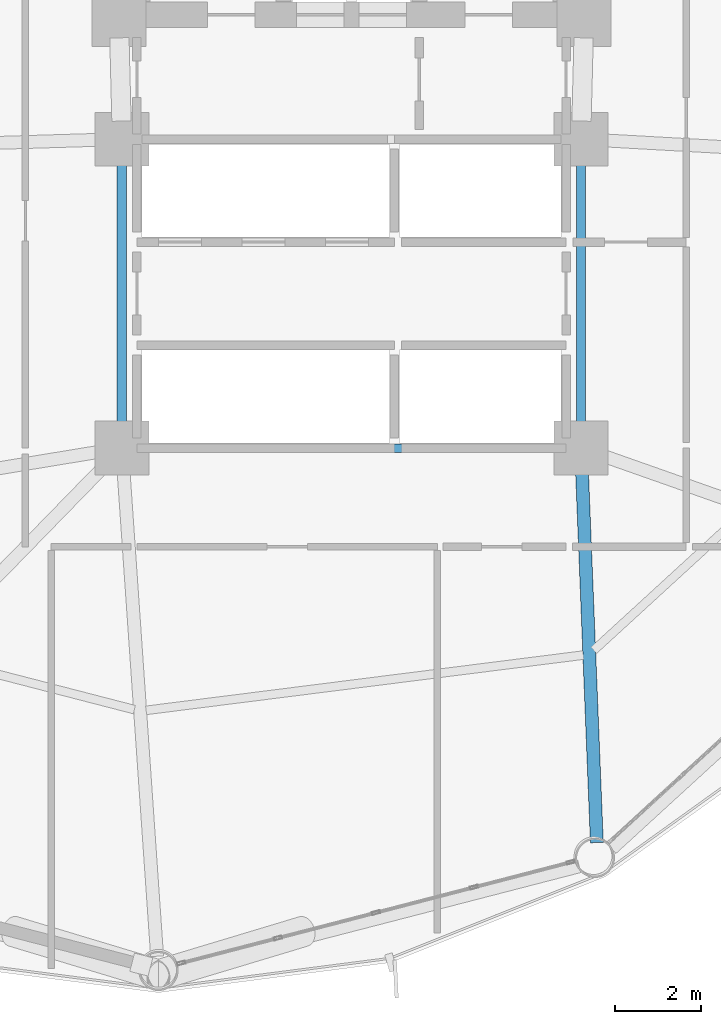
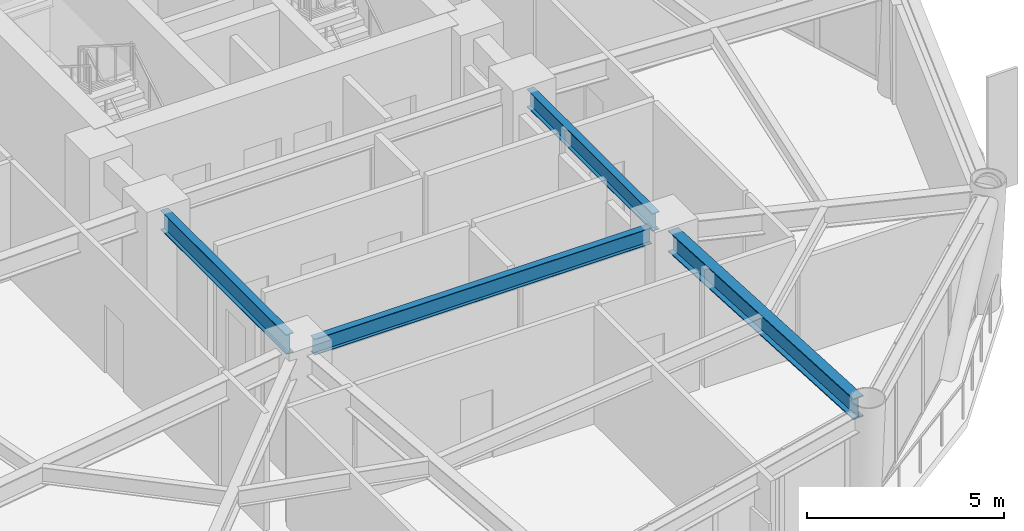
# One storey, part 9 of 25: 4 beams.
"""IFC4 building model written with IfcOpenShell, lengths in metres."""

from ifc_helpers import new_model, si_unit, direction, frame, origin, origin_2d, place, context, subcontext, project, spatial, i_section, extrude, material, material_profile, profile_set, type_object, element, save


model = new_model("IFC4")

# Units and contexts
model_context = context("Model", 3, precision=1e-05, world=origin(), true_north=direction((0.0, 1.0)))
body_context = subcontext(model_context, "Body", "Model", "MODEL_VIEW")
ifc_project = project(units=[si_unit("LENGTHUNIT", "METRE"), si_unit("AREAUNIT", "SQUARE_METRE"), si_unit("VOLUMEUNIT", "CUBIC_METRE"), si_unit("PLANEANGLEUNIT", "RADIAN"), si_unit("MASSUNIT", "GRAM", prefix="KILO")], contexts=[model_context])

# Site, building, storey
site_placement = place(None, origin())
site = spatial("IfcSite", under=ifc_project, at=site_placement, CompositionType="ELEMENT")
building_placement = place(site_placement, origin())
building = spatial("IfcBuilding", under=site, at=building_placement, Name="Varnakorn Sky Granary", CompositionType="ELEMENT")
storey_placement = place(building_placement, frame((0.0, 0.0, 35.39990234375)))
storey = spatial("IfcBuildingStorey", under=building, at=storey_placement, Name="L08", CompositionType="ELEMENT", Elevation=35.39990234375)

# Beams
ifc_material = material(Name="Steel S355JR", Category="steel")
ifc_material_profile_1 = material_profile(ifc_material, i_section(OverallWidth=0.2099609375, OverallDepth=0.550048828125, WebThickness=0.010986328125, FlangeThickness=0.01708984375, at=origin_2d()), Name="IPE 550")
ifc_profile_set_1 = profile_set([ifc_material_profile_1], Name="Steel S355JR")
beam_type_1 = type_object("IfcBeamType", Name="BM-JST-550", PredefinedType="JOIST", material=ifc_profile_set_1)
beam_1_placement = place(storey_placement, frame((8.35009765625, 0.179931640625, 3.364990234375), z_axis=(0.0, -1.0, 0.0), x_axis=(1.0, 0.0, 0.0)))
element("IfcBeam", 1, at=beam_1_placement, inside=storey, type_object=beam_type_1, Name="Core Spine Framing Beam 4 L08", PredefinedType="JOIST", context=body_context, shape_type="SweptSolid", body=[
    extrude(i_section(OverallWidth=0.2099609375, OverallDepth=0.550048828125, WebThickness=0.010986328125, FlangeThickness=0.01708984375, at=origin_2d()), origin(), (0.0, 0.0, 1.0), 6.35986328125),
])
ifc_material_profile_2 = material_profile(ifc_material, i_section(OverallWidth=0.219970703125, OverallDepth=0.60009765625, WebThickness=0.011962890625, FlangeThickness=0.01904296875, at=origin_2d()), Name="IPE 600")
ifc_profile_set_2 = profile_set([ifc_material_profile_2], Name="Steel S355JR")
beam_type_2 = type_object("IfcBeamType", Name="BM-JST-600", PredefinedType="JOIST", material=ifc_profile_set_2)
beam_2_placement = place(storey_placement, frame((-2.35009765625, 0.179931640625, 3.340087890625), z_axis=(0.0, -1.0, 0.0), x_axis=(1.0, 0.0, 0.0)))
element("IfcBeam", 2, at=beam_2_placement, inside=storey, type_object=beam_type_2, Name="Core Spine Framing Beam 3 L08", PredefinedType="JOIST", context=body_context, shape_type="SweptSolid", body=[
    extrude(i_section(OverallWidth=0.219970703125, OverallDepth=0.60009765625, WebThickness=0.011962890625, FlangeThickness=0.01904296875, at=origin_2d()), origin(), (0.0, 0.0, 1.0), 6.35986328125),
])
ifc_material_profile_3 = material_profile(ifc_material, i_section(OverallWidth=0.300048828125, OverallDepth=0.64990234375, WebThickness=0.01611328125, FlangeThickness=0.031005859375, at=origin_2d()), Name="HE 650 B")
ifc_profile_set_3 = profile_set([ifc_material_profile_3], Name="Steel S355JR")
beam_type_3 = type_object("IfcBeamType", Name="BM-RAD-Z1", PredefinedType="BEAM", material=ifc_profile_set_3)
beam_3_placement = place(storey_placement, frame((8.36669921875, -7.019775390625, 3.315185546875), z_axis=(0.039976920252, -0.999200603406, 0.0), x_axis=(0.999200603406, 0.039976920252, 0.0)))
element("IfcBeam", 3, at=beam_3_placement, inside=storey, type_object=beam_type_3, Name="Radial Floor Girder RG11 L08", PredefinedType="BEAM", context=body_context, shape_type="SweptSolid", body=[
    extrude(i_section(OverallWidth=0.300048828125, OverallDepth=0.64990234375, WebThickness=0.01611328125, FlangeThickness=0.031005859375, at=origin_2d()), origin(), (0.0, 0.0, 1.0), 8.781982421875),
])
ifc_material_profile_4 = material_profile(ifc_material, i_section(OverallWidth=0.199951171875, OverallDepth=0.5, WebThickness=0.01025390625, FlangeThickness=0.01611328125, at=origin_2d()), Name="IPE 500")
ifc_profile_set_4 = profile_set([ifc_material_profile_4], Name="Steel S355JR")
beam_type_4 = type_object("IfcBeamType", Name="BM-SEC-Z1", PredefinedType="BEAM", material=ifc_profile_set_4)
beam_4_placement = place(storey_placement, frame((-1.929931640625, -6.60009765625, 3.39013671875), z_axis=(1.0, 0.0, 0.0), x_axis=(0.0, 1.0, 0.0)))
element("IfcBeam", 4, at=beam_4_placement, inside=storey, type_object=beam_type_4, Name="Core Spine Framing Beam 6 L08", PredefinedType="BEAM", context=body_context, shape_type="SweptSolid", body=[
    extrude(i_section(OverallWidth=0.199951171875, OverallDepth=0.5, WebThickness=0.01025390625, FlangeThickness=0.01611328125, at=origin_2d()), origin(), (0.0, 0.0, 1.0), 9.85986328125),
])

save(model, "model.ifc")
